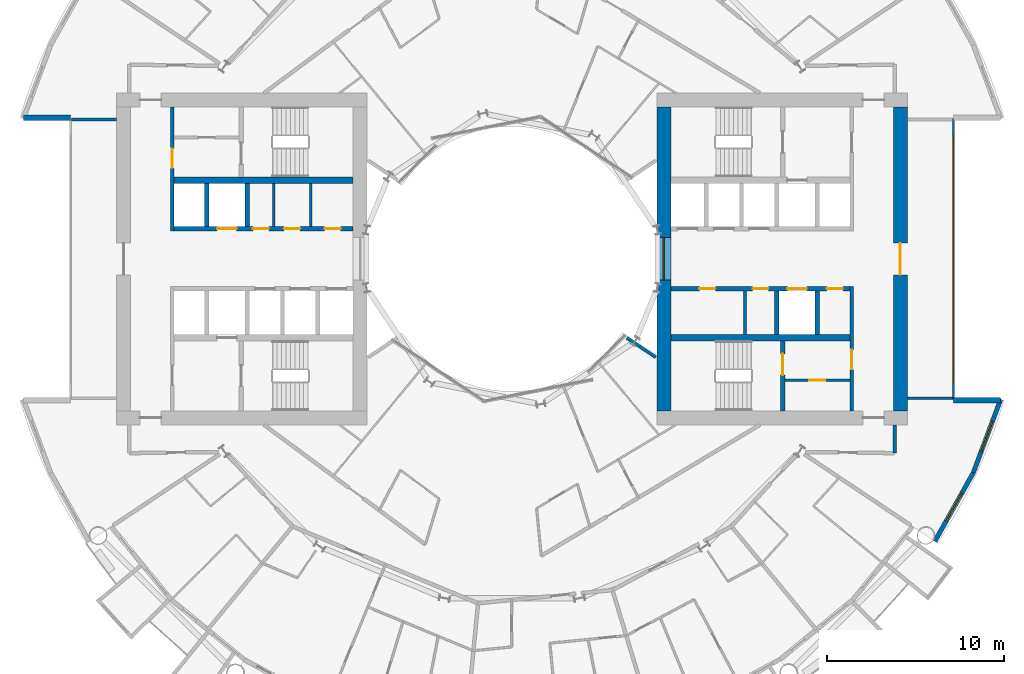
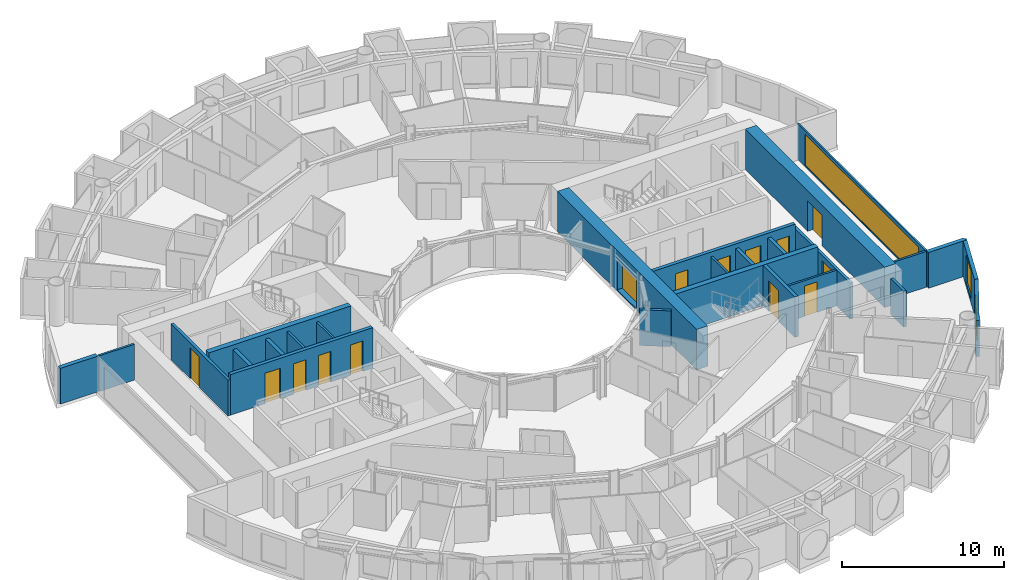
# One storey, part 17 of 26: 26 walls, 13 doors, 4 windows, 17 openings.
"""IFC4 building model written with IfcOpenShell, lengths in metres."""

import ifcopenshell
import ifcopenshell.guid

model = None  # the IFC model being written
_history = None  # IfcOwnerHistory: only IFC2X3 demands one
_inside = {}  # id of a spatial element -> (the spatial element, [elements in it])
_under = {}  # id of a project, library or spatial element -> (it, [spatial elements below it])
_declared = {}  # id of a project -> (the project, [libraries it declares])
_typed = {}  # id of a type object -> (the type object, [elements of that type])
_made_of = {}  # id of a material, layer set ... -> (it, [elements and type objects made of it])


def new_model(schema):
    """Start an empty IFC model of exactly this schema.

    Asked for "IFC4X3", IfcOpenShell would pick the latest addendum, in which some entities
    have other attributes; the version numbers below select the first issue.
    IFC2X3 requires an IfcOwnerHistory on every rooted entity: one is made here for all.
    """
    global model, _history
    if schema == "IFC4X3":
        model = ifcopenshell.file(schema_version=(4, 3, 0, 0))
    else:
        model = ifcopenshell.file(schema=schema)
    _inside.clear()
    _under.clear()
    _declared.clear()
    _typed.clear()
    _made_of.clear()
    _history = None
    if model.schema == "IFC2X3":
        org = make("IfcOrganization", Name="unknown")
        user = make(
            "IfcPersonAndOrganization",
            ThePerson=make("IfcPerson", FamilyName="unknown"),
            TheOrganization=org,
        )
        app = make(
            "IfcApplication",
            ApplicationDeveloper=org,
            Version="unknown",
            ApplicationFullName="unknown",
            ApplicationIdentifier="unknown",
        )
        _history = make(
            "IfcOwnerHistory",
            OwningUser=user,
            OwningApplication=app,
            ChangeAction="ADDED",
            CreationDate=0,
        )
    return model


def make(cls, **values):
    """One entity of the class cls with the attributes given. An attribute that is None is left unset."""
    return model.create_entity(
        cls, **{name: value for name, value in values.items() if value is not None}
    )


def rooted(cls, **values):
    """An entity with a GlobalId (a new one), such as an element, a storey or a relation."""
    return make(cls, GlobalId=ifcopenshell.guid.new(), OwnerHistory=_history, **values)


def si_unit(unit_type, name, prefix=None):
    """IfcSIUnit, for example si_unit("LENGTHUNIT", "METRE", prefix="MILLI")."""
    return make("IfcSIUnit", UnitType=unit_type, Prefix=prefix, Name=name)


def assignment(units):
    """IfcUnitAssignment: the units of a project."""
    return None if units is None else make("IfcUnitAssignment", Units=units)


def point(xyz):
    """IfcCartesianPoint."""
    return None if xyz is None else make("IfcCartesianPoint", Coordinates=xyz)


def direction(xyz):
    """IfcDirection."""
    return None if xyz is None else make("IfcDirection", DirectionRatios=xyz)


def frame(location, z_axis=None, x_axis=None):
    """IfcAxis2Placement3D, a coordinate frame: its origin and axes. An axis left out is left unset."""
    return make(
        "IfcAxis2Placement3D",
        Location=point(location),
        Axis=direction(z_axis),
        RefDirection=direction(x_axis),
    )


def frame_2d(location, x_axis=None):
    """IfcAxis2Placement2D, a coordinate frame in the plane: its origin and x axis."""
    return make(
        "IfcAxis2Placement2D", Location=point(location), RefDirection=direction(x_axis)
    )


def origin():
    """The frame at (0, 0, 0) with its axes left unset."""
    return frame((0.0, 0.0, 0.0))


def place(relative_to, where):
    """IfcLocalPlacement: puts the frame where relative to a parent placement (None: the world)."""
    return make(
        "IfcLocalPlacement", PlacementRelTo=relative_to, RelativePlacement=where
    )


def context(
    kind, dimensions, precision=None, world=None, true_north=None, identifier=None
):
    """IfcGeometricRepresentationContext, for example the 3D "Model" context."""
    return make(
        "IfcGeometricRepresentationContext",
        ContextIdentifier=identifier,
        ContextType=kind,
        CoordinateSpaceDimension=dimensions,
        Precision=precision,
        WorldCoordinateSystem=world,
        TrueNorth=true_north,
    )


def subcontext(parent, identifier, kind, view, scale=None):
    """IfcGeometricRepresentationSubContext, for example "Body" below "Model"."""
    return make(
        "IfcGeometricRepresentationSubContext",
        ContextIdentifier=identifier,
        ContextType=kind,
        ParentContext=parent,
        TargetScale=scale,
        TargetView=view,
    )


def project(units=None, contexts=None):
    """IfcProject with its units and contexts."""
    return rooted(
        "IfcProject",
        Name="project",
        RepresentationContexts=contexts,
        UnitsInContext=assignment(units),
    )


def spatial(cls, under=None, at=None, **own):
    """A site, building, storey or space (cls), placed at a placement, below another one or the project."""
    s = rooted(cls, ObjectPlacement=at, **own)
    if under is not None:
        _under.setdefault(under.id(), (under, []))[1].append(s)
    return s


def profile(cls, at=None, kind="AREA", **sizes):
    """A parametric profile (cls). Its sizes go by their IFC names, for example OverallWidth=200.0."""
    return make(cls, ProfileType=kind, Position=at, **sizes)


def rectangle(**sizes):
    """IfcRectangleProfileDef."""
    return profile("IfcRectangleProfileDef", **sizes)


def extrude(swept, where, along, depth):
    """IfcExtrudedAreaSolid: the profile swept, set in the frame where, extruded along a direction by depth."""
    return make(
        "IfcExtrudedAreaSolid",
        SweptArea=swept,
        Position=where,
        ExtrudedDirection=direction(along),
        Depth=depth,
    )


def shape(context_of_items, identifier, shape_type, items):
    """IfcShapeRepresentation: the items that make up one representation, for example the "Body"."""
    return make(
        "IfcShapeRepresentation",
        ContextOfItems=context_of_items,
        RepresentationIdentifier=identifier,
        RepresentationType=shape_type,
        Items=items,
    )


def material(Name=None, Category=None):
    """IfcMaterial."""
    return make("IfcMaterial", Name=Name, Category=Category)


def layer(
    of_material, thickness, ventilated=None, Name=None, Category=None, Priority=None
):
    """IfcMaterialLayer: one layer of a wall or slab, of a material (None: an air gap)."""
    return make(
        "IfcMaterialLayer",
        Material=of_material,
        LayerThickness=thickness,
        IsVentilated=ventilated,
        Name=Name,
        Category=Category,
        Priority=Priority,
    )


def layer_set(layers, Name=None):
    """IfcMaterialLayerSet."""
    return make("IfcMaterialLayerSet", MaterialLayers=layers, LayerSetName=Name)


def made_of(thing, what):
    """Note that an element or type object is made of a material, layer set ...; save() writes the relation."""
    if what is not None:
        _made_of.setdefault(what.id(), (what, []))[1].append(thing)
    return thing


def type_object(cls, material=None, **own):
    """A type object (cls), such as IfcWallType, which elements share."""
    return made_of(rooted(cls, **own), material)


def element(
    cls,
    number,
    at=None,
    inside=None,
    cuts=None,
    type_object=None,
    material=None,
    context=None,
    identifier="Body",
    shape_type=None,
    held_by="IfcProductDefinitionShape",
    body=None,
    shapes=None,
    **own,
):
    """One element of the class cls, such as IfcWall. Its Tag is "e" and its number.

    at: its placement. inside: the storey or other place that contains it. cuts: it is an
    opening in that element (IfcRelVoidsElement). A single representation is given by context,
    identifier, shape_type and body (its items); several are given by shapes. held_by: the class
    of the entity that holds the representations. save() writes the other relations.
    """
    e = rooted(cls, Tag="e%d" % number, ObjectPlacement=at, **own)
    if body is not None:
        shapes = [shape(context, identifier, shape_type, body)]
    if shapes is not None:
        e.Representation = make(held_by, Representations=shapes)
    if inside is not None:
        _inside.setdefault(inside.id(), (inside, []))[1].append(e)
    if cuts is not None:
        rooted(
            "IfcRelVoidsElement", RelatingBuildingElement=cuts, RelatedOpeningElement=e
        )
    if type_object is not None:
        _typed.setdefault(type_object.id(), (type_object, []))[1].append(e)
    return made_of(e, material)


def fill(opening, filler):
    """IfcRelFillsElement: the door or window that sits in an opening."""
    return rooted(
        "IfcRelFillsElement",
        RelatingOpeningElement=opening,
        RelatedBuildingElement=filler,
    )


def aggregate(whole, parts):
    """IfcRelAggregates: a whole, such as a stair, and the parts it consists of."""
    return rooted("IfcRelAggregates", RelatingObject=whole, RelatedObjects=parts)


def save(model, path):
    """Write the relations noted so far, then the file.

    IfcRelAggregates (storeys below a building ...), IfcRelContainedInSpatialStructure (elements
    in a storey), IfcRelDefinesByType, IfcRelAssociatesMaterial and IfcRelDeclares: one each for
    every whole, place, type object, material and project.
    """
    for whole, parts in _under.values():
        aggregate(whole, parts)
    for where, things in _inside.values():
        rooted(
            "IfcRelContainedInSpatialStructure",
            RelatedElements=things,
            RelatingStructure=where,
        )
    for kind, things in _typed.values():
        rooted("IfcRelDefinesByType", RelatedObjects=things, RelatingType=kind)
    for what, things in _made_of.values():
        rooted("IfcRelAssociatesMaterial", RelatedObjects=things, RelatingMaterial=what)
    for by, libraries in _declared.values():
        rooted("IfcRelDeclares", RelatingContext=by, RelatedDefinitions=libraries)
    model.write(path)


model = new_model("IFC4")

# Units and contexts
model_context = context("Model", 3, precision=1e-05, world=origin(), true_north=direction((0.0, 1.0)))
body_context = subcontext(model_context, "Body", "Model", "MODEL_VIEW")
ifc_project = project(units=[si_unit("LENGTHUNIT", "METRE"), si_unit("AREAUNIT", "SQUARE_METRE"), si_unit("VOLUMEUNIT", "CUBIC_METRE"), si_unit("PLANEANGLEUNIT", "RADIAN"), si_unit("MASSUNIT", "GRAM", prefix="KILO")], contexts=[model_context])

# Site, building, storey
site_placement = place(None, origin())
site = spatial("IfcSite", under=ifc_project, at=site_placement, CompositionType="ELEMENT")
building_placement = place(site_placement, origin())
building = spatial("IfcBuilding", under=site, at=building_placement, Name="Maasbend Ring Residences", CompositionType="ELEMENT")
storey_placement = place(building_placement, frame((0.0, 0.0, 50.25)))
storey = spatial("IfcBuildingStorey", under=building, at=storey_placement, Name="L14", CompositionType="ELEMENT", Elevation=50.25)

# Wall, openings, doors
ifc_material_1 = material(Name="Concrete C70/85", Category="concrete")
ifc_layer_1 = layer(ifc_material_1, 0.25)
ifc_layer_set_1 = layer_set([ifc_layer_1], Name="Concrete C70/85")
wall_type_1 = type_object("IfcWallType", Name="CORE WALL 250 C70/85", PredefinedType="SHEAR", material=ifc_layer_set_1)
wall_1_placement = place(storey_placement, frame((19.14990234375, -1.699951171875, 0.0), z_axis=(0.0, 0.0, 1.0), x_axis=(-1.0, 0.0, 0.0)))
wall_1 = element("IfcWall", 1, at=wall_1_placement, inside=storey, type_object=wall_type_1, Name="L14 core E wall SPS", PredefinedType="SHEAR", context=body_context, shape_type="SweptSolid", body=[
    extrude(rectangle(XDim=10.14990234375, YDim=0.25, at=frame_2d((5.074951171875, 0.0))), origin(), (0.0, 0.0, 1.0), 3.050048828125),
])
opening_1_placement = place(wall_1_placement, frame((2.449951171875, 0.0, 0.0)))
opening_1 = element("IfcOpeningElement", 2, at=opening_1_placement, cuts=wall_1, Name="Opening LD-E1405", PredefinedType="OPENING", context=body_context, shape_type="SweptSolid", body=[
    extrude(rectangle(XDim=1.10009765625, YDim=2.300048828125, at=frame_2d((0.550048828125, 1.14990234375))), frame((0.0, 0.135009765625, 0.0), z_axis=(0.0, -1.0, 0.0), x_axis=(1.0, 0.0, 0.0)), (0.0, 0.0, 1.0), 0.27001953125),
])
opening_2_placement = place(wall_1_placement, frame((7.637451171875, 0.0, 0.0)))
opening_2 = element("IfcOpeningElement", 3, at=opening_2_placement, cuts=wall_1, Name="Opening D-E1406", PredefinedType="OPENING", context=body_context, shape_type="SweptSolid", body=[
    extrude(rectangle(XDim=0.89990234375, YDim=2.300048828125, at=frame_2d((0.449951171875, 1.14990234375))), frame((0.0, 0.135009765625, 0.0), z_axis=(0.0, -1.0, 0.0), x_axis=(1.0, 0.0, 0.0)), (0.0, 0.0, 1.0), 0.27001953125),
])
opening_3_placement = place(wall_1_placement, frame((4.625, 0.0, 0.0)))
opening_3 = element("IfcOpeningElement", 4, at=opening_3_placement, cuts=wall_1, Name="Opening D-E1407", PredefinedType="OPENING", context=body_context, shape_type="SweptSolid", body=[
    extrude(rectangle(XDim=0.89990234375, YDim=2.300048828125, at=frame_2d((0.449951171875, 1.14990234375))), frame((0.0, 0.135009765625, 0.0), z_axis=(0.0, -1.0, 0.0), x_axis=(1.0, 0.0, 0.0)), (0.0, 0.0, 1.0), 0.27001953125),
])
opening_4_placement = place(wall_1_placement, frame((0.41259765625, 0.0, 0.0)))
opening_4 = element("IfcOpeningElement", 5, at=opening_4_placement, cuts=wall_1, Name="Opening D-E1408", PredefinedType="OPENING", context=body_context, shape_type="SweptSolid", body=[
    extrude(rectangle(XDim=0.89990234375, YDim=2.300048828125, at=frame_2d((0.449951171875, 1.14990234375))), frame((0.0, 0.135009765625, 0.0), z_axis=(0.0, -1.0, 0.0), x_axis=(1.0, 0.0, 0.0)), (0.0, 0.0, 1.0), 0.27001953125),
])
ifc_material_2 = material(Name="Stainless steel 316", Category="steel")
door_type_1 = type_object("IfcDoorType", Name="LANDING DOOR 1100 X 2300 FD60", OperationType="DOUBLE_DOOR_SLIDING", PredefinedType="DOOR", material=ifc_material_2)
door_1_placement = place(opening_1_placement, origin())
door_1 = element("IfcDoor", 6, at=door_1_placement, inside=storey, type_object=door_type_1, Name="Landing door SV-E L14", OperationType="DOUBLE_DOOR_SLIDING", OverallHeight=2.300048828125, OverallWidth=1.10009765625, PredefinedType="DOOR", context=body_context, shape_type="SweptSolid", body=[
    extrude(rectangle(XDim=1.10009765625, YDim=2.300048828125, at=frame_2d((0.550048828125, 1.14990234375))), frame((0.0, 0.02490234375, 0.0), z_axis=(0.0, -1.0, 0.0), x_axis=(1.0, 0.0, 0.0)), (0.0, 0.0, 1.0), 0.050048828125),
])
fill(opening_1, door_1)
ifc_material_3 = material(Name="Steel, powder coated", Category="steel")
door_type_2 = type_object("IfcDoorType", Name="ROOM DOOR 900 X 2300 FD30S", OperationType="NOTDEFINED", PredefinedType="DOOR", material=ifc_material_3)
door_2_placement = place(opening_2_placement, origin())
door_2 = element("IfcDoor", 7, at=door_2_placement, inside=storey, type_object=door_type_2, Name="Room door L14", OperationType="SINGLE_SWING_LEFT", OverallHeight=2.300048828125, OverallWidth=0.89990234375, PredefinedType="DOOR", context=body_context, shape_type="SweptSolid", body=[
    extrude(rectangle(XDim=0.89990234375, YDim=2.300048828125, at=frame_2d((0.449951171875, 1.14990234375))), frame((0.0, 0.02490234375, 0.0), z_axis=(0.0, -1.0, 0.0), x_axis=(1.0, 0.0, 0.0)), (0.0, 0.0, 1.0), 0.050048828125),
])
fill(opening_2, door_2)
door_3_placement = place(opening_3_placement, origin())
door_3 = element("IfcDoor", 8, at=door_3_placement, inside=storey, type_object=door_type_2, Name="Room door L14", OperationType="SINGLE_SWING_LEFT", OverallHeight=2.300048828125, OverallWidth=0.89990234375, PredefinedType="DOOR", context=body_context, shape_type="SweptSolid", body=[
    extrude(rectangle(XDim=0.89990234375, YDim=2.300048828125, at=frame_2d((0.449951171875, 1.14990234375))), frame((0.0, 0.02490234375, 0.0), z_axis=(0.0, -1.0, 0.0), x_axis=(1.0, 0.0, 0.0)), (0.0, 0.0, 1.0), 0.050048828125),
])
fill(opening_3, door_3)
door_4_placement = place(opening_4_placement, origin())
door_4 = element("IfcDoor", 9, at=door_4_placement, inside=storey, type_object=door_type_2, Name="Room door L14", OperationType="SINGLE_SWING_RIGHT", OverallHeight=2.300048828125, OverallWidth=0.89990234375, PredefinedType="DOOR", context=body_context, shape_type="SweptSolid", body=[
    extrude(rectangle(XDim=0.89990234375, YDim=2.300048828125, at=frame_2d((0.449951171875, 1.14990234375))), frame((0.0, 0.02490234375, 0.0), z_axis=(0.0, -1.0, 0.0), x_axis=(1.0, 0.0, 0.0)), (0.0, 0.0, 1.0), 0.050048828125),
])
fill(opening_4, door_4)

# Wall, opening, door
wall_2_placement = place(storey_placement, frame((15.324951171875, -8.60009765625, 0.0), z_axis=(0.0, 0.0, 1.0), x_axis=(0.0, 1.0, 0.0)))
wall_2 = element("IfcWall", 10, at=wall_2_placement, inside=storey, type_object=wall_type_1, Name="L14 core E wall STES", PredefinedType="SHEAR", context=body_context, shape_type="SweptSolid", body=[
    extrude(rectangle(XDim=3.9501953125, YDim=0.25, at=frame_2d((1.97509765625, 0.0))), origin(), (0.0, 0.0, 1.0), 3.050048828125),
])
opening_5_placement = place(wall_2_placement, frame((2.02490234375, 0.0, 0.0)))
opening_5 = element("IfcOpeningElement", 11, at=opening_5_placement, cuts=wall_2, Name="Opening D-E1411", PredefinedType="OPENING", context=body_context, shape_type="SweptSolid", body=[
    extrude(rectangle(XDim=1.199951171875, YDim=2.300048828125, at=frame_2d((0.60009765625, 1.14990234375))), frame((0.0, 0.135009765625, 0.0), z_axis=(0.0, -1.0, 0.0), x_axis=(1.0, 0.0, 0.0)), (0.0, 0.0, 1.0), 0.27001953125),
])
ifc_material_4 = material(Name="Steel, powder coated", Category="steel")
door_type_3 = type_object("IfcDoorType", Name="STAIR DOOR 1200 X 2300 FD60", OperationType="NOTDEFINED", PredefinedType="DOOR", material=ifc_material_4)
door_5_placement = place(opening_5_placement, origin())
door_5 = element("IfcDoor", 12, at=door_5_placement, inside=storey, type_object=door_type_3, Name="Stair door ST-E L14", OperationType="SINGLE_SWING_LEFT", OverallHeight=2.300048828125, OverallWidth=1.199951171875, PredefinedType="DOOR", context=body_context, shape_type="SweptSolid", body=[
    extrude(rectangle(XDim=1.199951171875, YDim=2.300048828125, at=frame_2d((0.60009765625, 1.14990234375))), frame((0.0, 0.02490234375, 0.0), z_axis=(0.0, -1.0, 0.0), x_axis=(1.0, 0.0, 0.0)), (0.0, 0.0, 1.0), 0.050048828125),
])
fill(opening_5, door_5)

# Wall, openings, doors
wall_3_placement = place(storey_placement, frame((-19.14990234375, 1.699951171875, 0.0), z_axis=(0.0, 0.0, 1.0), x_axis=(1.0, 0.0, 0.0)))
wall_3 = element("IfcWall", 13, at=wall_3_placement, inside=storey, type_object=wall_type_1, Name="L14 core W wall SPS", PredefinedType="SHEAR", context=body_context, shape_type="SweptSolid", body=[
    extrude(rectangle(XDim=10.14990234375, YDim=0.25, at=frame_2d((5.074951171875, 0.0))), origin(), (0.0, 0.0, 1.0), 3.050048828125),
])
opening_6_placement = place(wall_3_placement, frame((2.449951171875, 0.0, 0.0)))
opening_6 = element("IfcOpeningElement", 14, at=opening_6_placement, cuts=wall_3, Name="Opening LD-W1405", PredefinedType="OPENING", context=body_context, shape_type="SweptSolid", body=[
    extrude(rectangle(XDim=1.10009765625, YDim=2.300048828125, at=frame_2d((0.550048828125, 1.14990234375))), frame((0.0, 0.135009765625, 0.0), z_axis=(0.0, -1.0, 0.0), x_axis=(1.0, 0.0, 0.0)), (0.0, 0.0, 1.0), 0.27001953125),
])
opening_7_placement = place(wall_3_placement, frame((8.53759765625, 0.0, 0.0)))
opening_7 = element("IfcOpeningElement", 15, at=opening_7_placement, cuts=wall_3, Name="Opening D-W1406", PredefinedType="OPENING", context=body_context, shape_type="SweptSolid", body=[
    extrude(rectangle(XDim=0.89990234375, YDim=2.300048828125, at=frame_2d((0.449951171875, 1.14990234375))), frame((0.0, 0.135009765625, 0.0), z_axis=(0.0, -1.0, 0.0), x_axis=(1.0, 0.0, 0.0)), (0.0, 0.0, 1.0), 0.27001953125),
])
opening_8_placement = place(wall_3_placement, frame((6.25, 0.0, 0.0)))
opening_8 = element("IfcOpeningElement", 16, at=opening_8_placement, cuts=wall_3, Name="Opening D-W1407", PredefinedType="OPENING", context=body_context, shape_type="SweptSolid", body=[
    extrude(rectangle(XDim=0.89990234375, YDim=2.300048828125, at=frame_2d((0.449951171875, 1.14990234375))), frame((0.0, 0.135009765625, 0.0), z_axis=(0.0, -1.0, 0.0), x_axis=(1.0, 0.0, 0.0)), (0.0, 0.0, 1.0), 0.27001953125),
])
opening_9_placement = place(wall_3_placement, frame((4.47509765625, 0.0, 0.0)))
opening_9 = element("IfcOpeningElement", 17, at=opening_9_placement, cuts=wall_3, Name="Opening D-W1408", PredefinedType="OPENING", context=body_context, shape_type="SweptSolid", body=[
    extrude(rectangle(XDim=0.89990234375, YDim=2.300048828125, at=frame_2d((0.449951171875, 1.14990234375))), frame((0.0, 0.135009765625, 0.0), z_axis=(0.0, -1.0, 0.0), x_axis=(1.0, 0.0, 0.0)), (0.0, 0.0, 1.0), 0.27001953125),
])
door_6_placement = place(opening_6_placement, origin())
door_6 = element("IfcDoor", 18, at=door_6_placement, inside=storey, type_object=door_type_1, Name="Landing door SV-W L14", OperationType="DOUBLE_DOOR_SLIDING", OverallHeight=2.300048828125, OverallWidth=1.10009765625, PredefinedType="DOOR", context=body_context, shape_type="SweptSolid", body=[
    extrude(rectangle(XDim=1.10009765625, YDim=2.300048828125, at=frame_2d((0.550048828125, 1.14990234375))), frame((0.0, 0.02490234375, 0.0), z_axis=(0.0, -1.0, 0.0), x_axis=(1.0, 0.0, 0.0)), (0.0, 0.0, 1.0), 0.050048828125),
])
fill(opening_6, door_6)
door_7_placement = place(opening_7_placement, origin())
door_7 = element("IfcDoor", 19, at=door_7_placement, inside=storey, type_object=door_type_2, Name="Room door L14", OperationType="SINGLE_SWING_LEFT", OverallHeight=2.300048828125, OverallWidth=0.89990234375, PredefinedType="DOOR", context=body_context, shape_type="SweptSolid", body=[
    extrude(rectangle(XDim=0.89990234375, YDim=2.300048828125, at=frame_2d((0.449951171875, 1.14990234375))), frame((0.0, 0.02490234375, 0.0), z_axis=(0.0, -1.0, 0.0), x_axis=(1.0, 0.0, 0.0)), (0.0, 0.0, 1.0), 0.050048828125),
])
fill(opening_7, door_7)
door_8_placement = place(opening_8_placement, origin())
door_8 = element("IfcDoor", 20, at=door_8_placement, inside=storey, type_object=door_type_2, Name="Room door L14", OperationType="SINGLE_SWING_LEFT", OverallHeight=2.300048828125, OverallWidth=0.89990234375, PredefinedType="DOOR", context=body_context, shape_type="SweptSolid", body=[
    extrude(rectangle(XDim=0.89990234375, YDim=2.300048828125, at=frame_2d((0.449951171875, 1.14990234375))), frame((0.0, 0.02490234375, 0.0), z_axis=(0.0, -1.0, 0.0), x_axis=(1.0, 0.0, 0.0)), (0.0, 0.0, 1.0), 0.050048828125),
])
fill(opening_8, door_8)
door_9_placement = place(opening_9_placement, origin())
door_9 = element("IfcDoor", 21, at=door_9_placement, inside=storey, type_object=door_type_2, Name="Room door L14", OperationType="SINGLE_SWING_RIGHT", OverallHeight=2.300048828125, OverallWidth=0.89990234375, PredefinedType="DOOR", context=body_context, shape_type="SweptSolid", body=[
    extrude(rectangle(XDim=0.89990234375, YDim=2.300048828125, at=frame_2d((0.449951171875, 1.14990234375))), frame((0.0, 0.02490234375, 0.0), z_axis=(0.0, -1.0, 0.0), x_axis=(1.0, 0.0, 0.0)), (0.0, 0.0, 1.0), 0.050048828125),
])
fill(opening_9, door_9)

# Walls
ifc_material_5 = material(Name="Concrete C70/85", Category="concrete")
ifc_layer_2 = layer(ifc_material_5, 0.375)
ifc_layer_set_2 = layer_set([ifc_layer_2], Name="Concrete C70/85")
wall_type_2 = type_object("IfcWallType", Name="CORE WALL 375 C70/85", PredefinedType="SHEAR", material=ifc_layer_set_2)
for number, where, z_axis, x_axis, name in (
    (22, (9.0, -4.46240234375, 0.0), (0.0, 0.0, 1.0), (1.0, 0.0, 0.0), "L14 core E wall BS"),
    (23, (-9.0, 4.46240234375, 0.0), (0.0, 0.0, 1.0), (-1.0, 0.0, 0.0), "L14 core W wall BS"),
):
    element("IfcWall", number, at=place(storey_placement, frame(where, z_axis=z_axis, x_axis=x_axis)), inside=storey, type_object=wall_type_2, Name=name, PredefinedType="SHEAR", context=body_context, shape_type="SweptSolid", body=[
        extrude(rectangle(XDim=10.14990234375, YDim=0.375, at=frame_2d((5.074951171875, 0.0))), origin(), (0.0, 0.0, 1.0), 3.050048828125),
    ])

# Wall, opening, door
ifc_material_6 = material(Name="Concrete C70/85", Category="concrete")
ifc_layer_3 = layer(ifc_material_6, 0.800048828125)
ifc_layer_set_3 = layer_set([ifc_layer_3], Name="Concrete C70/85")
wall_type_3 = type_object("IfcWallType", Name="CORE WALL 800 C70/85", PredefinedType="SHEAR", material=ifc_layer_set_3)
wall_4_placement = place(storey_placement, frame((22.0, 8.60009765625, 0.0), z_axis=(0.0, 0.0, 1.0), x_axis=(0.0, -1.0, 0.0)))
wall_4 = element("IfcWall", 24, at=wall_4_placement, inside=storey, type_object=wall_type_3, Name="L14 core E wall POUT", PredefinedType="SHEAR", context=body_context, shape_type="SweptSolid", body=[
    extrude(rectangle(XDim=17.2001953125, YDim=0.800048828125, at=frame_2d((8.60009765625, 0.0))), origin(), (0.0, 0.0, 1.0), 3.050048828125),
])
opening_10_placement = place(wall_4_placement, frame((7.699951171875, 0.0, 0.0)))
opening_10 = element("IfcOpeningElement", 25, at=opening_10_placement, cuts=wall_4, Name="Opening D-E1416", PredefinedType="OPENING", context=body_context, shape_type="SweptSolid", body=[
    extrude(rectangle(XDim=1.800048828125, YDim=2.300048828125, at=frame_2d((0.89990234375, 1.14990234375))), frame((0.0, 0.41015625, 0.0), z_axis=(0.0, -1.0, 0.0), x_axis=(1.0, 0.0, 0.0)), (0.0, 0.0, 1.0), 0.820068359375),
])
ifc_material_7 = material(Name="Aluminium frame, clear glass", Category="aluminium")
door_type_4 = type_object("IfcDoorType", Name="ENTRANCE DOOR 1800 X 2300 FD60", OperationType="NOTDEFINED", PredefinedType="DOOR", material=ifc_material_7)
door_10_placement = place(opening_10_placement, origin())
door_10 = element("IfcDoor", 26, at=door_10_placement, inside=storey, type_object=door_type_4, Name="Lobby glazed door L14", OperationType="SINGLE_SWING_LEFT", OverallHeight=2.300048828125, OverallWidth=1.800048828125, PredefinedType="DOOR", context=body_context, shape_type="SweptSolid", body=[
    extrude(rectangle(XDim=1.800048828125, YDim=2.300048828125, at=frame_2d((0.89990234375, 1.14990234375))), frame((0.0, 0.02490234375, 0.0), z_axis=(0.0, -1.0, 0.0), x_axis=(1.0, 0.0, 0.0)), (0.0, 0.0, 1.0), 0.050048828125),
])
fill(opening_10, door_10)

# Wall, opening, window
wall_5_placement = place(storey_placement, frame((8.60009765625, -8.60009765625, 0.0), z_axis=(0.0, 0.0, 1.0), x_axis=(0.0, 1.0, 0.0)))
wall_5 = element("IfcWall", 27, at=wall_5_placement, inside=storey, type_object=wall_type_3, Name="L14 core E wall PIN", PredefinedType="SHEAR", context=body_context, shape_type="SweptSolid", body=[
    extrude(rectangle(XDim=17.2001953125, YDim=0.800048828125, at=frame_2d((8.60009765625, 0.0))), origin(), (0.0, 0.0, 1.0), 3.050048828125),
])
opening_11_placement = place(wall_5_placement, frame((7.39990234375, 0.0, 0.10009765625)))
opening_11 = element("IfcOpeningElement", 28, at=opening_11_placement, cuts=wall_5, Name="Opening W-E1401", PredefinedType="OPENING", context=body_context, shape_type="SweptSolid", body=[
    extrude(rectangle(XDim=2.39990234375, YDim=2.199951171875, at=frame_2d((1.199951171875, 1.10009765625))), frame((0.0, 0.41015625, 0.0), z_axis=(0.0, -1.0, 0.0), x_axis=(1.0, 0.0, 0.0)), (0.0, 0.0, 1.0), 0.820068359375),
])
ifc_material_8 = material(Name="Aluminium frame and clear glass", Category="aluminium")
window_type_1 = type_object("IfcWindowType", Name="FIXED WINDOW 2400 X 2200", PartitioningType="SINGLE_PANEL", PredefinedType="WINDOW", material=ifc_material_8)
window_1_placement = place(opening_11_placement, origin())
window_1 = element("IfcWindow", 29, at=window_1_placement, inside=storey, type_object=window_type_1, Name="Lobby window L14", OverallHeight=2.199951171875, OverallWidth=2.39990234375, PartitioningType="SINGLE_PANEL", PredefinedType="WINDOW", context=body_context, shape_type="SweptSolid", body=[
    extrude(rectangle(XDim=2.39990234375, YDim=2.199951171875, at=frame_2d((1.199951171875, 1.10009765625))), frame((0.0, 0.030029296875, 0.0), z_axis=(0.0, -1.0, 0.0), x_axis=(1.0, 0.0, 0.0)), (0.0, 0.0, 1.0), 0.06005859375),
])
fill(opening_11, window_1)

# Wall
ifc_material_9 = material(Name="Concrete C30/37", Category="concrete")
ifc_layer_4 = layer(ifc_material_9, 0.199951171875)
ifc_layer_set_4 = layer_set([ifc_layer_4], Name="Concrete C30/37")
wall_type_4 = type_object("IfcWallType", Name="CORRIDOR WALL 200 CONCRETE", PredefinedType="PARTITIONING", material=ifc_layer_set_4)
wall_6_placement = place(storey_placement, frame((21.675048828125, -11.0, 0.0), z_axis=(0.0, 0.0, 1.0), x_axis=(0.0, 1.0, 0.0)))
element("IfcWall", 30, at=wall_6_placement, inside=storey, type_object=wall_type_4, Name="U-L14-w009", PredefinedType="PARTITIONING", context=body_context, shape_type="SweptSolid", body=[
    extrude(rectangle(XDim=1.60009765625, YDim=0.199951171875, at=frame_2d((0.800048828125, 0.0))), origin(), (0.0, 0.0, 1.0), 2.699951171875),
])

# Wall, opening, window
ifc_material_10 = material(Name="Aluminium clad insulated panel", Category="aluminium")
ifc_layer_5 = layer(ifc_material_10, 0.25)
ifc_layer_set_5 = layer_set([ifc_layer_5], Name="EW-HORN")
wall_type_5 = type_object("IfcWallType", Name="EW-HORN", PredefinedType="SOLIDWALL", material=ifc_layer_set_5)
wall_7_placement = place(storey_placement, frame((23.946044921875, -16.0, 0.0), z_axis=(0.0, 0.0, 1.0), x_axis=(0.489696356642, 0.871893042919, 0.0)))
wall_7 = element("IfcWall", 31, at=wall_7_placement, inside=storey, type_object=wall_type_5, Name="Horn wall 2.1", PredefinedType="SOLIDWALL", context=body_context, shape_type="SweptSolid", body=[
    extrude(rectangle(XDim=4.45361328125, YDim=0.25, at=frame_2d((2.226806640625, 0.0))), origin(), (0.0, 0.0, 1.0), 2.699951171875),
])
opening_12_placement = place(wall_7_placement, frame((1.32666015625, 0.0, 0.300048828125)))
opening_12 = element("IfcOpeningElement", 32, at=opening_12_placement, cuts=wall_7, Name="Opening W-BX", PredefinedType="OPENING", context=body_context, shape_type="SweptSolid", body=[
    extrude(rectangle(XDim=1.800048828125, YDim=2.10009765625, at=frame_2d((0.89990234375, 1.050048828125))), frame((0.0, 0.135009765625, 0.0), z_axis=(0.0, -1.0, 0.0), x_axis=(1.0, 0.0, 0.0)), (0.0, 0.0, 1.0), 0.27001953125),
])
ifc_material_11 = material(Name="Aluminium and clear glass", Category="aluminium")
window_type_2 = type_object("IfcWindowType", Name="W-BX", PartitioningType="DOUBLE_PANEL_VERTICAL", PredefinedType="WINDOW", material=ifc_material_11)
window_2_placement = place(opening_12_placement, origin())
window_2 = element("IfcWindow", 33, at=window_2_placement, inside=storey, type_object=window_type_2, Name="Horn window 2.1", OverallHeight=2.10009765625, OverallWidth=1.800048828125, PartitioningType="SINGLE_PANEL", PredefinedType="WINDOW", context=body_context, shape_type="SweptSolid", body=[
    extrude(rectangle(XDim=1.800048828125, YDim=2.10009765625, at=frame_2d((0.89990234375, 1.050048828125))), frame((0.0, 0.030029296875, 0.0), z_axis=(0.0, -1.0, 0.0), x_axis=(1.0, 0.0, 0.0)), (0.0, 0.0, 1.0), 0.06005859375),
])
fill(opening_12, window_2)

wall_8_placement = place(storey_placement, frame((26.126953125, -12.116943359375, 0.0), z_axis=(0.0, 0.0, 1.0), x_axis=(0.349247811493, 0.937030397675, 0.0)))
wall_8 = element("IfcWall", 34, at=wall_8_placement, inside=storey, type_object=wall_type_5, Name="Horn wall 2.2", PredefinedType="SOLIDWALL", context=body_context, shape_type="SweptSolid", body=[
    extrude(rectangle(XDim=4.4521484375, YDim=0.25, at=frame_2d((2.22607421875, 0.0))), origin(), (0.0, 0.0, 1.0), 2.699951171875),
])
opening_13_placement = place(wall_8_placement, frame((1.32666015625, 0.0, 0.300048828125)))
opening_13 = element("IfcOpeningElement", 35, at=opening_13_placement, cuts=wall_8, Name="Opening W-BX", PredefinedType="OPENING", context=body_context, shape_type="SweptSolid", body=[
    extrude(rectangle(XDim=1.800048828125, YDim=2.10009765625, at=frame_2d((0.89990234375, 1.050048828125))), frame((0.0, 0.135009765625, 0.0), z_axis=(0.0, -1.0, 0.0), x_axis=(1.0, 0.0, 0.0)), (0.0, 0.0, 1.0), 0.27001953125),
])
window_3_placement = place(opening_13_placement, origin())
window_3 = element("IfcWindow", 36, at=window_3_placement, inside=storey, type_object=window_type_2, Name="Horn window 2.2", OverallHeight=2.10009765625, OverallWidth=1.800048828125, PartitioningType="SINGLE_PANEL", PredefinedType="WINDOW", context=body_context, shape_type="SweptSolid", body=[
    extrude(rectangle(XDim=1.800048828125, YDim=2.10009765625, at=frame_2d((0.89990234375, 1.050048828125))), frame((0.0, 0.030029296875, 0.0), z_axis=(0.0, -1.0, 0.0), x_axis=(1.0, 0.0, 0.0)), (0.0, 0.0, 1.0), 0.06005859375),
])
fill(opening_13, window_3)

# Walls
ifc_material_12 = material(Name="Aluminium clad insulated panel", Category="aluminium")
ifc_layer_6 = layer(ifc_material_12, 0.300048828125)
ifc_layer_set_6 = layer_set([ifc_layer_6], Name="EW-RET")
wall_type_6 = type_object("IfcWallType", Name="EW-RET", PredefinedType="SOLIDWALL", material=ifc_layer_set_6)
for number, where, z_axis, x_axis, name in (
    (37, (25.0, -8.0, 0.0), (0.0, 0.0, 1.0), (1.0, 0.0, 0.0), "Notch return wall east south"),
    (38, (-25.0, 8.0, 0.0), (0.0, 0.0, 1.0), (-1.0, 0.0, 0.0), "Notch return wall west north"),
):
    element("IfcWall", number, at=place(storey_placement, frame(where, z_axis=z_axis, x_axis=x_axis)), inside=storey, type_object=wall_type_6, Name=name, PredefinedType="SOLIDWALL", context=body_context, shape_type="SweptSolid", body=[
        extrude(rectangle(XDim=2.6669921875, YDim=0.300048828125, at=frame_2d((1.33349609375, 0.0))), origin(), (0.0, 0.0, 1.0), 2.699951171875),
    ])

# Wall, opening, window
ifc_material_13 = material(Name="Aluminium frame and clear glass", Category="aluminium")
ifc_layer_7 = layer(ifc_material_13, 0.1201171875)
ifc_layer_set_7 = layer_set([ifc_layer_7], Name="GLAZED SCREEN WALL 120 EI 60")
wall_type_7 = type_object("IfcWallType", Name="GLAZED SCREEN WALL 120 EI 60", PredefinedType="PARTITIONING", material=ifc_layer_set_7)
wall_9_placement = place(storey_placement, frame((25.0, -7.949951171875, 0.0), z_axis=(0.0, 0.0, 1.0), x_axis=(0.0, 1.0, 0.0)))
wall_9 = element("IfcWall", 39, at=wall_9_placement, inside=storey, type_object=wall_type_7, Name="L14 core E wall FACE", PredefinedType="PARTITIONING", context=body_context, shape_type="SweptSolid", body=[
    extrude(rectangle(XDim=15.89990234375, YDim=0.1201171875, at=frame_2d((7.949951171875, 0.0))), origin(), (0.0, 0.0, 1.0), 2.699951171875),
])
opening_14_placement = place(wall_9_placement, frame((0.949951171875, 0.0, 0.10009765625)))
opening_14 = element("IfcOpeningElement", 40, at=opening_14_placement, cuts=wall_9, Name="Opening W-E1402", PredefinedType="OPENING", context=body_context, shape_type="SweptSolid", body=[
    extrude(rectangle(XDim=14.0, YDim=2.35009765625, at=frame_2d((7.0, 1.175048828125))), frame((0.0, 0.070068359375, 0.0), z_axis=(0.0, -1.0, 0.0), x_axis=(1.0, 0.0, 0.0)), (0.0, 0.0, 1.0), 0.14013671875),
])
ifc_material_14 = material(Name="Aluminium frame and clear glass", Category="aluminium")
window_type_3 = type_object("IfcWindowType", Name="FIXED WINDOW 14000 X 2350", PartitioningType="SINGLE_PANEL", PredefinedType="WINDOW", material=ifc_material_14)
window_4_placement = place(opening_14_placement, origin())
window_4 = element("IfcWindow", 41, at=window_4_placement, inside=storey, type_object=window_type_3, Name="Lobby window L14", OverallHeight=2.35009765625, OverallWidth=14.0, PartitioningType="SINGLE_PANEL", PredefinedType="WINDOW", context=body_context, shape_type="SweptSolid", body=[
    extrude(rectangle(XDim=14.0, YDim=2.35009765625, at=frame_2d((7.0, 1.175048828125))), frame((0.0, 0.030029296875, 0.0), z_axis=(0.0, -1.0, 0.0), x_axis=(1.0, 0.0, 0.0)), (0.0, 0.0, 1.0), 0.06005859375),
])
fill(opening_14, window_4)

# Wall
ifc_material_15 = material(Name="Gypsum board on steel studs", Category="steel")
ifc_layer_8 = layer(ifc_material_15, 0.14990234375)
ifc_layer_set_8 = layer_set([ifc_layer_8], Name="PARTITION 150 EI 60")
wall_type_8 = type_object("IfcWallType", Name="PARTITION 150 EI 60", PredefinedType="PARTITIONING", material=ifc_layer_set_8)
wall_10_placement = place(storey_placement, frame((13.199951171875, -1.824951171875, 0.0), z_axis=(0.0, 0.0, 1.0), x_axis=(0.0, -1.0, 0.0)))
element("IfcWall", 42, at=wall_10_placement, inside=storey, type_object=wall_type_8, Name="L14 core E wall PRS1320", PredefinedType="PARTITIONING", context=body_context, shape_type="SweptSolid", body=[
    extrude(rectangle(XDim=2.449951171875, YDim=0.14990234375, at=frame_2d((1.22509765625, 0.0))), origin(), (0.0, 0.0, 1.0), 2.699951171875),
])

# Wall, opening, door
wall_11_placement = place(storey_placement, frame((15.449951171875, -6.875, 0.0), z_axis=(0.0, 0.0, 1.0), x_axis=(1.0, 0.0, 0.0)))
wall_11 = element("IfcWall", 43, at=wall_11_placement, inside=storey, type_object=wall_type_8, Name="L14 core E wall RHS", PredefinedType="PARTITIONING", context=body_context, shape_type="SweptSolid", body=[
    extrude(rectangle(XDim=3.699951171875, YDim=0.14990234375, at=frame_2d((1.85009765625, 0.0))), origin(), (0.0, 0.0, 1.0), 2.699951171875),
])
opening_15_placement = place(wall_11_placement, frame((1.39990234375, 0.0, 0.0)))
opening_15 = element("IfcOpeningElement", 44, at=opening_15_placement, cuts=wall_11, Name="Opening D-E1409", PredefinedType="OPENING", context=body_context, shape_type="SweptSolid", body=[
    extrude(rectangle(XDim=0.89990234375, YDim=2.300048828125, at=frame_2d((0.449951171875, 1.14990234375))), frame((0.0, 0.0849609375, 0.0), z_axis=(0.0, -1.0, 0.0), x_axis=(1.0, 0.0, 0.0)), (0.0, 0.0, 1.0), 0.169921875),
])
ifc_material_16 = material(Name="Steel, powder coated", Category="steel")
door_type_5 = type_object("IfcDoorType", Name="RISER DOOR 900 X 2300 FD60", OperationType="NOTDEFINED", PredefinedType="DOOR", material=ifc_material_16)
door_11_placement = place(opening_15_placement, origin())
door_11 = element("IfcDoor", 45, at=door_11_placement, inside=storey, type_object=door_type_5, Name="Riser door L14", OperationType="SINGLE_SWING_LEFT", OverallHeight=2.300048828125, OverallWidth=0.89990234375, PredefinedType="DOOR", context=body_context, shape_type="SweptSolid", body=[
    extrude(rectangle(XDim=0.89990234375, YDim=2.300048828125, at=frame_2d((0.449951171875, 1.14990234375))), frame((0.0, 0.02490234375, 0.0), z_axis=(0.0, -1.0, 0.0), x_axis=(1.0, 0.0, 0.0)), (0.0, 0.0, 1.0), 0.050048828125),
])
fill(opening_15, door_11)

# Walls
wall_12_placement = place(storey_placement, frame((22.39990234375, -7.89990234375, 0.0), z_axis=(0.0, 0.0, 1.0), x_axis=(1.0, 0.0, 0.0)))
element("IfcWall", 46, at=wall_12_placement, inside=storey, type_object=wall_type_8, Name="L14 core E wall CITS", PredefinedType="PARTITIONING", context=body_context, shape_type="SweptSolid", body=[
    extrude(rectangle(XDim=2.5400390625, YDim=0.14990234375, at=frame_2d((1.27001953125, 0.0))), origin(), (0.0, 0.0, 1.0), 2.699951171875),
])
for number, where, z_axis, x_axis, name in (
    (47, (-11.39990234375, 1.824951171875, 0.0), (0.0, 0.0, 1.0), (0.0, 1.0, 0.0), "L14 core W wall PRS1140"),
    (48, (-13.5, 1.824951171875, 0.0), (0.0, 0.0, 1.0), (0.0, 1.0, 0.0), "L14 core W wall PRS1350"),
):
    element("IfcWall", number, at=place(storey_placement, frame(where, z_axis=z_axis, x_axis=x_axis)), inside=storey, type_object=wall_type_8, Name=name, PredefinedType="PARTITIONING", context=body_context, shape_type="SweptSolid", body=[
        extrude(rectangle(XDim=2.449951171875, YDim=0.14990234375, at=frame_2d((1.22509765625, 0.0))), origin(), (0.0, 0.0, 1.0), 2.699951171875),
    ])
wall_13_placement = place(storey_placement, frame((-22.39990234375, 7.89990234375, 0.0), z_axis=(0.0, 0.0, 1.0), x_axis=(-1.0, 0.0, 0.0)))
element("IfcWall", 49, at=wall_13_placement, inside=storey, type_object=wall_type_8, Name="L14 core W wall CITS", PredefinedType="PARTITIONING", context=body_context, shape_type="SweptSolid", body=[
    extrude(rectangle(XDim=2.5400390625, YDim=0.14990234375, at=frame_2d((1.27001953125, 0.0))), origin(), (0.0, 0.0, 1.0), 2.699951171875),
])
ifc_material_17 = material(Name="Concrete C30/37", Category="concrete")
ifc_layer_9 = layer(ifc_material_17, 0.199951171875)
ifc_layer_set_9 = layer_set([ifc_layer_9], Name="Concrete C30/37")
wall_type_9 = type_object("IfcWallType", Name="PARTY WALL 200 CONCRETE", PredefinedType="PARTITIONING", material=ifc_layer_set_9)
wall_14_placement = place(storey_placement, frame((6.512939453125, -4.471923828125, 0.0), z_axis=(0.0, 0.0, 1.0), x_axis=(0.831417956244, -0.555647533996, 0.0)))
element("IfcWall", 50, at=wall_14_placement, inside=storey, type_object=wall_type_9, Name="U-L14-w029", PredefinedType="PARTITIONING", context=body_context, shape_type="SweptSolid", body=[
    extrude(rectangle(XDim=1.9619140625, YDim=0.199951171875, at=frame_2d((0.98095703125, 0.0))), origin(), (0.0, 0.0, 1.0), 2.699951171875),
])

# Wall, opening, door
ifc_material_18 = material(Name="Concrete C30/37", Category="concrete")
ifc_layer_10 = layer(ifc_material_18, 0.199951171875)
ifc_layer_set_10 = layer_set([ifc_layer_10], Name="Concrete C30/37")
wall_type_10 = type_object("IfcWallType", Name="SHAFT WALL 200 EI 120", PredefinedType="SOLIDWALL", material=ifc_layer_set_10)
wall_15_placement = place(storey_placement, frame((19.25, -8.60009765625, 0.0), z_axis=(0.0, 0.0, 1.0), x_axis=(0.0, 1.0, 0.0)))
wall_15 = element("IfcWall", 51, at=wall_15_placement, inside=storey, type_object=wall_type_10, Name="L14 core E wall ENDS", PredefinedType="SOLIDWALL", context=body_context, shape_type="SweptSolid", body=[
    extrude(rectangle(XDim=7.025146484375, YDim=0.199951171875, at=frame_2d((3.5126953125, 0.0))), origin(), (0.0, 0.0, 1.0), 2.699951171875),
])
opening_16_placement = place(wall_15_placement, frame((2.35009765625, 0.0, 0.0)))
opening_16 = element("IfcOpeningElement", 52, at=opening_16_placement, cuts=wall_15, Name="Opening D-E1413", PredefinedType="OPENING", context=body_context, shape_type="SweptSolid", body=[
    extrude(rectangle(XDim=1.10009765625, YDim=2.300048828125, at=frame_2d((0.550048828125, 1.14990234375))), frame((0.0, 0.10986328125, 0.0), z_axis=(0.0, -1.0, 0.0), x_axis=(1.0, 0.0, 0.0)), (0.0, 0.0, 1.0), 0.219970703125),
])
ifc_material_19 = material(Name="Steel, powder coated", Category="steel")
door_type_6 = type_object("IfcDoorType", Name="LOBBY DOOR 1100 X 2300 FD60", OperationType="NOTDEFINED", PredefinedType="DOOR", material=ifc_material_19)
door_12_placement = place(opening_16_placement, origin())
door_12 = element("IfcDoor", 53, at=door_12_placement, inside=storey, type_object=door_type_6, Name="Lobby door L14", OperationType="SINGLE_SWING_RIGHT", OverallHeight=2.300048828125, OverallWidth=1.10009765625, PredefinedType="DOOR", context=body_context, shape_type="SweptSolid", body=[
    extrude(rectangle(XDim=1.10009765625, YDim=2.300048828125, at=frame_2d((0.550048828125, 1.14990234375))), frame((0.0, 0.02490234375, 0.0), z_axis=(0.0, -1.0, 0.0), x_axis=(1.0, 0.0, 0.0)), (0.0, 0.0, 1.0), 0.050048828125),
])
fill(opening_16, door_12)

wall_16_placement = place(storey_placement, frame((-19.25, 8.60009765625, 0.0), z_axis=(0.0, 0.0, 1.0), x_axis=(0.0, -1.0, 0.0)))
wall_16 = element("IfcWall", 54, at=wall_16_placement, inside=storey, type_object=wall_type_10, Name="L14 core W wall ENDS", PredefinedType="SOLIDWALL", context=body_context, shape_type="SweptSolid", body=[
    extrude(rectangle(XDim=7.025146484375, YDim=0.199951171875, at=frame_2d((3.5126953125, 0.0))), origin(), (0.0, 0.0, 1.0), 2.699951171875),
])
opening_17_placement = place(wall_16_placement, frame((2.35009765625, 0.0, 0.0)))
opening_17 = element("IfcOpeningElement", 55, at=opening_17_placement, cuts=wall_16, Name="Opening D-W1413", PredefinedType="OPENING", context=body_context, shape_type="SweptSolid", body=[
    extrude(rectangle(XDim=1.10009765625, YDim=2.300048828125, at=frame_2d((0.550048828125, 1.14990234375))), frame((0.0, 0.10986328125, 0.0), z_axis=(0.0, -1.0, 0.0), x_axis=(1.0, 0.0, 0.0)), (0.0, 0.0, 1.0), 0.219970703125),
])
door_13_placement = place(opening_17_placement, origin())
door_13 = element("IfcDoor", 56, at=door_13_placement, inside=storey, type_object=door_type_6, Name="Lobby door L14", OperationType="SINGLE_SWING_RIGHT", OverallHeight=2.300048828125, OverallWidth=1.10009765625, PredefinedType="DOOR", context=body_context, shape_type="SweptSolid", body=[
    extrude(rectangle(XDim=1.10009765625, YDim=2.300048828125, at=frame_2d((0.550048828125, 1.14990234375))), frame((0.0, 0.02490234375, 0.0), z_axis=(0.0, -1.0, 0.0), x_axis=(1.0, 0.0, 0.0)), (0.0, 0.0, 1.0), 0.050048828125),
])
fill(opening_17, door_13)

# Walls
ifc_material_20 = material(Name="Concrete C30/37", Category="concrete")
ifc_layer_11 = layer(ifc_material_20, 0.25)
ifc_layer_set_11 = layer_set([ifc_layer_11], Name="Concrete C30/37")
wall_type_11 = type_object("IfcWallType", Name="SHAFT WALL 250 EI 120", PredefinedType="SOLIDWALL", material=ifc_layer_set_11)
for number, where, z_axis, x_axis, name in (
    (57, (15.0, -1.824951171875, 0.0), (0.0, 0.0, 1.0), (0.0, -1.0, 0.0), "L14 core E wall D150S"),
    (58, (17.300048828125, -1.824951171875, 0.0), (0.0, 0.0, 1.0), (0.0, -1.0, 0.0), "L14 core E wall D173S"),
    (59, (-15.0, 1.824951171875, 0.0), (0.0, 0.0, 1.0), (0.0, 1.0, 0.0), "L14 core W wall D150S"),
    (60, (-17.300048828125, 1.824951171875, 0.0), (0.0, 0.0, 1.0), (0.0, 1.0, 0.0), "L14 core W wall D173S"),
):
    element("IfcWall", number, at=place(storey_placement, frame(where, z_axis=z_axis, x_axis=x_axis)), inside=storey, type_object=wall_type_11, Name=name, PredefinedType="SOLIDWALL", context=body_context, shape_type="SweptSolid", body=[
        extrude(rectangle(XDim=2.449951171875, YDim=0.25, at=frame_2d((1.22509765625, 0.0))), origin(), (0.0, 0.0, 1.0), 2.699951171875),
    ])

save(model, "model.ifc")
